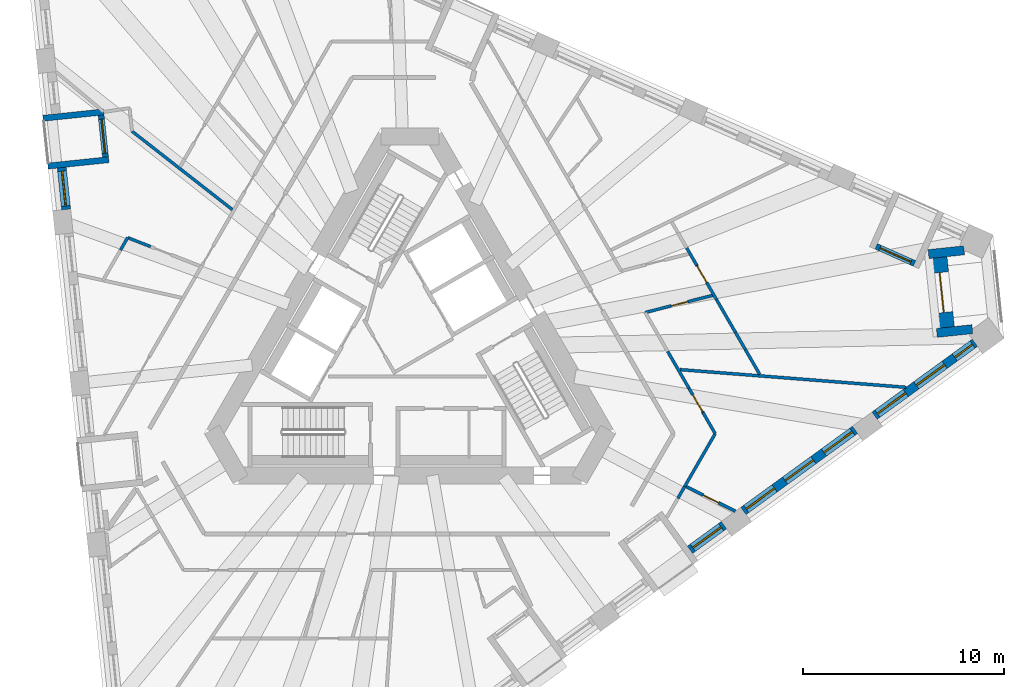
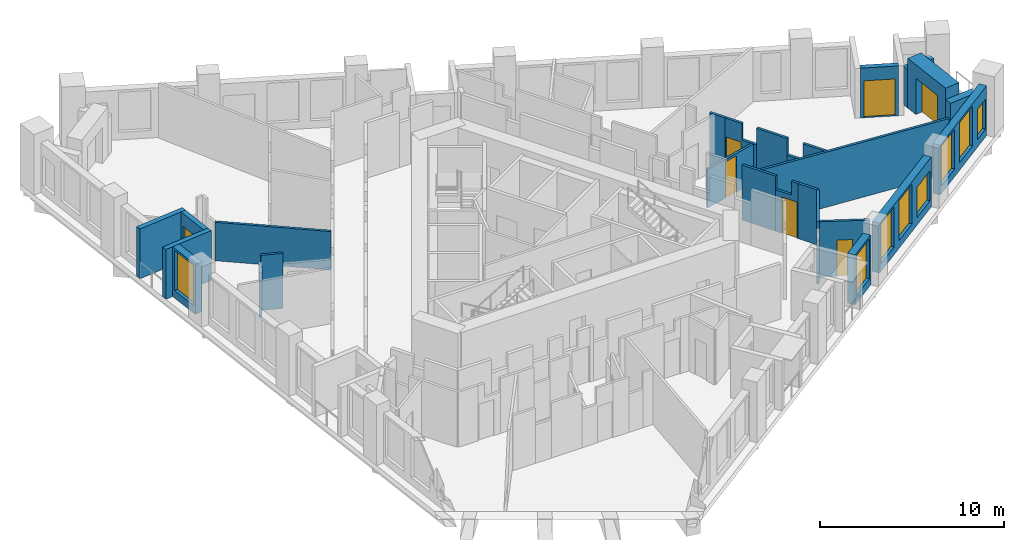
# One storey, part 6 of 14: 27 walls, 8 windows, 7 doors, 15 openings.
"""IFC4 building model written with IfcOpenShell, lengths in metres."""

from ifc_helpers import new_model, si_unit, direction, frame, frame_2d, origin, place, context, subcontext, project, spatial, polyline, rectangle, outline, extrude, material, layer, layer_set, type_object, element, fill, save


model = new_model("IFC4")

# Units and contexts
model_context = context("Model", 3, precision=1e-05, world=origin(), true_north=direction((0.0, 1.0)))
body_context = subcontext(model_context, "Body", "Model", "MODEL_VIEW")
ifc_project = project(units=[si_unit("LENGTHUNIT", "METRE"), si_unit("AREAUNIT", "SQUARE_METRE"), si_unit("VOLUMEUNIT", "CUBIC_METRE"), si_unit("PLANEANGLEUNIT", "RADIAN"), si_unit("MASSUNIT", "GRAM", prefix="KILO")], contexts=[model_context])

# Site, building, storey
site_placement = place(None, origin())
site = spatial("IfcSite", under=ifc_project, at=site_placement, CompositionType="ELEMENT")
building_placement = place(site_placement, origin())
building = spatial("IfcBuilding", under=site, at=building_placement, Name="Tramontana Tower", CompositionType="ELEMENT")
storey_placement = place(building_placement, frame((0.0, 0.0, 182.800048828125)))
storey = spatial("IfcBuildingStorey", under=building, at=storey_placement, Name="L42", CompositionType="ELEMENT", Elevation=182.800048828125)

# Wall, opening, window
ifc_material_1 = material(Name="Precast concrete 60 MPa", Category="concrete")
ifc_layer_1 = layer(ifc_material_1, 0.449951171875)
ifc_layer_set_1 = layer_set([ifc_layer_1], Name="Precast concrete 60 MPa, 450 mm")
wall_type_1 = type_object("IfcWallType", Name="EW1 Stone-faced precast wall 450", PredefinedType="SOLIDWALL", material=ifc_layer_set_1)
wall_1_placement = place(storey_placement, frame((-17.362060546875, 9.01171875, 0.0), z_axis=(0.0, 0.0, 1.0), x_axis=(0.104569484464, -0.994517583011, 0.0)))
wall_1 = element("IfcWall", 1, at=wall_1_placement, inside=storey, type_object=wall_type_1, Name="External wall L42 face 0 bay 2", PredefinedType="SOLIDWALL", context=body_context, shape_type="SweptSolid", body=[
    extrude(rectangle(XDim=2.09423828125, YDim=0.449951171875, at=frame_2d((1.047119140625, 0.0))), origin(), (0.0, 0.0, 1.0), 3.300048828125),
])
opening_1_placement = place(wall_1_placement, frame((0.172119140625, 0.0, 0.5)))
opening_1 = element("IfcOpeningElement", 2, at=opening_1_placement, cuts=wall_1, Name="Opening M2", PredefinedType="OPENING", context=body_context, shape_type="SweptSolid", body=[
    extrude(rectangle(XDim=1.75, YDim=2.64990234375, at=frame_2d((0.875, 1.324951171875))), frame((0.0, 0.23486328125, 0.0), z_axis=(0.0, -1.0, 0.0), x_axis=(1.0, 0.0, 0.0)), (0.0, 0.0, 1.0), 0.469970703125),
])
ifc_material_2 = material(Name="Aluminum frame, double glazing unit", Category="aluminium")
window_type_1 = type_object("IfcWindowType", Name="M2 Window 1.75 x 2.65", PartitioningType="SINGLE_PANEL", PredefinedType="WINDOW", material=ifc_material_2)
window_1_placement = place(opening_1_placement, origin())
window_1 = element("IfcWindow", 3, at=window_1_placement, inside=storey, type_object=window_type_1, Name="Window M2 L42 face 0 module 6", OverallHeight=2.64990234375, OverallWidth=1.75, PartitioningType="SINGLE_PANEL", PredefinedType="WINDOW", context=body_context, shape_type="SweptSolid", body=[
    extrude(rectangle(XDim=1.75, YDim=2.64990234375, at=frame_2d((0.875, 1.324951171875))), frame((0.0, 0.030029296875, 0.0), z_axis=(0.0, -1.0, 0.0), x_axis=(1.0, 0.0, 0.0)), (0.0, 0.0, 1.0), 0.06005859375),
])
fill(opening_1, window_1)

wall_2_placement = place(storey_placement, frame((13.955078125, -10.039794921875, 0.0), z_axis=(0.0, 0.0, 1.0), x_axis=(0.809028366311, 0.587769599847, 0.0)))
wall_2 = element("IfcWall", 4, at=wall_2_placement, inside=storey, type_object=wall_type_1, Name="External wall L42 face 1 bay 4", PredefinedType="SOLIDWALL", context=body_context, shape_type="SweptSolid", body=[
    extrude(rectangle(XDim=2.09423828125, YDim=0.449951171875, at=frame_2d((1.047119140625, 0.0))), origin(), (0.0, 0.0, 1.0), 3.300048828125),
])
opening_2_placement = place(wall_2_placement, frame((0.172119140625, 0.0, 0.5)))
opening_2 = element("IfcOpeningElement", 5, at=opening_2_placement, cuts=wall_2, Name="Opening M2", PredefinedType="OPENING", context=body_context, shape_type="SweptSolid", body=[
    extrude(rectangle(XDim=1.75, YDim=2.64990234375, at=frame_2d((0.875, 1.324951171875))), frame((0.0, 0.23486328125, 0.0), z_axis=(0.0, -1.0, 0.0), x_axis=(1.0, 0.0, 0.0)), (0.0, 0.0, 1.0), 0.469970703125),
])
window_2_placement = place(opening_2_placement, origin())
window_2 = element("IfcWindow", 6, at=window_2_placement, inside=storey, type_object=window_type_1, Name="Window M2 L42 face 1 module 12", OverallHeight=2.64990234375, OverallWidth=1.75, PartitioningType="SINGLE_PANEL", PredefinedType="WINDOW", context=body_context, shape_type="SweptSolid", body=[
    extrude(rectangle(XDim=1.75, YDim=2.64990234375, at=frame_2d((0.875, 1.324951171875))), frame((0.0, 0.030029296875, 0.0), z_axis=(0.0, -1.0, 0.0), x_axis=(1.0, 0.0, 0.0)), (0.0, 0.0, 1.0), 0.06005859375),
])
fill(opening_2, window_2)

# Wall, openings, windows
wall_3_placement = place(storey_placement, frame((16.6201171875, -8.103515625, 0.0), z_axis=(0.0, 0.0, 1.0), x_axis=(0.809016690404, 0.587785670672, 0.0)))
wall_3 = element("IfcWall", 7, at=wall_3_placement, inside=storey, type_object=wall_type_1, Name="External wall L42 face 1 bay 5", PredefinedType="SOLIDWALL", context=body_context, shape_type="SweptSolid", body=[
    extrude(rectangle(XDim=6.8828125, YDim=0.449951171875, at=frame_2d((3.44140625, 0.0))), origin(), (0.0, 0.0, 1.0), 3.300048828125),
])
opening_3_placement = place(wall_3_placement, frame((0.172119140625, 0.0, 0.5)))
opening_3 = element("IfcOpeningElement", 8, at=opening_3_placement, cuts=wall_3, Name="Opening M2", PredefinedType="OPENING", context=body_context, shape_type="SweptSolid", body=[
    extrude(rectangle(XDim=1.75, YDim=2.64990234375, at=frame_2d((0.875, 1.324951171875))), frame((0.0, 0.23486328125, 0.0), z_axis=(0.0, -1.0, 0.0), x_axis=(1.0, 0.0, 0.0)), (0.0, 0.0, 1.0), 0.469970703125),
])
opening_4_placement = place(wall_3_placement, frame((2.56640625, 0.0, 0.5)))
opening_4 = element("IfcOpeningElement", 9, at=opening_4_placement, cuts=wall_3, Name="Opening M2", PredefinedType="OPENING", context=body_context, shape_type="SweptSolid", body=[
    extrude(rectangle(XDim=1.75, YDim=2.64990234375, at=frame_2d((0.875, 1.324951171875))), frame((0.0, 0.23486328125, 0.0), z_axis=(0.0, -1.0, 0.0), x_axis=(1.0, 0.0, 0.0)), (0.0, 0.0, 1.0), 0.469970703125),
])
opening_5_placement = place(wall_3_placement, frame((4.960693359375, 0.0, 0.5)))
opening_5 = element("IfcOpeningElement", 10, at=opening_5_placement, cuts=wall_3, Name="Opening M2L", PredefinedType="OPENING", context=body_context, shape_type="SweptSolid", body=[
    extrude(rectangle(XDim=1.75, YDim=2.0, at=frame_2d((0.875, 1.0))), frame((0.0, 0.23486328125, 0.0), z_axis=(0.0, -1.0, 0.0), x_axis=(1.0, 0.0, 0.0)), (0.0, 0.0, 1.0), 0.469970703125),
])
window_3_placement = place(opening_3_placement, origin())
window_3 = element("IfcWindow", 11, at=window_3_placement, inside=storey, type_object=window_type_1, Name="Window M2 L42 face 1 module 13", OverallHeight=2.64990234375, OverallWidth=1.75, PartitioningType="SINGLE_PANEL", PredefinedType="WINDOW", context=body_context, shape_type="SweptSolid", body=[
    extrude(rectangle(XDim=1.75, YDim=2.64990234375, at=frame_2d((0.875, 1.324951171875))), frame((0.0, 0.030029296875, 0.0), z_axis=(0.0, -1.0, 0.0), x_axis=(1.0, 0.0, 0.0)), (0.0, 0.0, 1.0), 0.06005859375),
])
fill(opening_3, window_3)
window_4_placement = place(opening_4_placement, origin())
window_4 = element("IfcWindow", 12, at=window_4_placement, inside=storey, type_object=window_type_1, Name="Window M2 L42 face 1 module 14", OverallHeight=2.64990234375, OverallWidth=1.75, PartitioningType="SINGLE_PANEL", PredefinedType="WINDOW", context=body_context, shape_type="SweptSolid", body=[
    extrude(rectangle(XDim=1.75, YDim=2.64990234375, at=frame_2d((0.875, 1.324951171875))), frame((0.0, 0.030029296875, 0.0), z_axis=(0.0, -1.0, 0.0), x_axis=(1.0, 0.0, 0.0)), (0.0, 0.0, 1.0), 0.06005859375),
])
fill(opening_4, window_4)
ifc_material_3 = material(Name="Aluminum frame, double glazing unit", Category="aluminium")
window_type_2 = type_object("IfcWindowType", Name="M2L Window 1.75 x 2", PartitioningType="SINGLE_PANEL", PredefinedType="WINDOW", material=ifc_material_3)
window_5_placement = place(opening_5_placement, origin())
window_5 = element("IfcWindow", 13, at=window_5_placement, inside=storey, type_object=window_type_2, Name="Window M2L L42 face 1 module 15", OverallHeight=2.0, OverallWidth=1.75, PartitioningType="SINGLE_PANEL", PredefinedType="WINDOW", context=body_context, shape_type="SweptSolid", body=[
    extrude(rectangle(XDim=1.75, YDim=2.0, at=frame_2d((0.875, 1.0))), frame((0.0, 0.030029296875, 0.0), z_axis=(0.0, -1.0, 0.0), x_axis=(1.0, 0.0, 0.0)), (0.0, 0.0, 1.0), 0.06005859375),
])
fill(opening_5, window_5)

wall_4_placement = place(storey_placement, frame((23.159423828125, -3.3525390625, 0.0), z_axis=(0.0, 0.0, 1.0), x_axis=(0.809005790194, 0.587800673215, 0.0)))
wall_4 = element("IfcWall", 14, at=wall_4_placement, inside=storey, type_object=wall_type_1, Name="External wall L42 face 1 bay 6", PredefinedType="SOLIDWALL", context=body_context, shape_type="SweptSolid", body=[
    extrude(rectangle(XDim=6.182861328125, YDim=0.449951171875, at=frame_2d((3.09130859375, 0.0))), origin(), (0.0, 0.0, 1.0), 3.300048828125),
])
opening_6_placement = place(wall_4_placement, frame((0.172119140625, 0.0, 0.5)))
opening_6 = element("IfcOpeningElement", 15, at=opening_6_placement, cuts=wall_4, Name="Opening M2", PredefinedType="OPENING", context=body_context, shape_type="SweptSolid", body=[
    extrude(rectangle(XDim=1.75, YDim=2.64990234375, at=frame_2d((0.875, 1.324951171875))), frame((0.0, 0.23486328125, 0.0), z_axis=(0.0, -1.0, 0.0), x_axis=(1.0, 0.0, 0.0)), (0.0, 0.0, 1.0), 0.469970703125),
])
opening_7_placement = place(wall_4_placement, frame((2.56640625, 0.0, 0.5)))
opening_7 = element("IfcOpeningElement", 16, at=opening_7_placement, cuts=wall_4, Name="Opening M2", PredefinedType="OPENING", context=body_context, shape_type="SweptSolid", body=[
    extrude(rectangle(XDim=1.75, YDim=2.64990234375, at=frame_2d((0.875, 1.324951171875))), frame((0.0, 0.23486328125, 0.0), z_axis=(0.0, -1.0, 0.0), x_axis=(1.0, 0.0, 0.0)), (0.0, 0.0, 1.0), 0.469970703125),
])
opening_8_placement = place(wall_4_placement, frame((4.935791015625, 0.0, 0.5)))
opening_8 = element("IfcOpeningElement", 17, at=opening_8_placement, cuts=wall_4, Name="Opening N2L", PredefinedType="OPENING", context=body_context, shape_type="SweptSolid", body=[
    extrude(rectangle(XDim=1.10009765625, YDim=2.0, at=frame_2d((0.550048828125, 1.0))), frame((0.0, 0.23486328125, 0.0), z_axis=(0.0, -1.0, 0.0), x_axis=(1.0, 0.0, 0.0)), (0.0, 0.0, 1.0), 0.469970703125),
])
window_6_placement = place(opening_6_placement, origin())
window_6 = element("IfcWindow", 18, at=window_6_placement, inside=storey, type_object=window_type_1, Name="Window M2 L42 face 1 module 16", OverallHeight=2.64990234375, OverallWidth=1.75, PartitioningType="SINGLE_PANEL", PredefinedType="WINDOW", context=body_context, shape_type="SweptSolid", body=[
    extrude(rectangle(XDim=1.75, YDim=2.64990234375, at=frame_2d((0.875, 1.324951171875))), frame((0.0, 0.030029296875, 0.0), z_axis=(0.0, -1.0, 0.0), x_axis=(1.0, 0.0, 0.0)), (0.0, 0.0, 1.0), 0.06005859375),
])
fill(opening_6, window_6)
window_7_placement = place(opening_7_placement, origin())
window_7 = element("IfcWindow", 19, at=window_7_placement, inside=storey, type_object=window_type_1, Name="Window M2 L42 face 1 module 17", OverallHeight=2.64990234375, OverallWidth=1.75, PartitioningType="SINGLE_PANEL", PredefinedType="WINDOW", context=body_context, shape_type="SweptSolid", body=[
    extrude(rectangle(XDim=1.75, YDim=2.64990234375, at=frame_2d((0.875, 1.324951171875))), frame((0.0, 0.030029296875, 0.0), z_axis=(0.0, -1.0, 0.0), x_axis=(1.0, 0.0, 0.0)), (0.0, 0.0, 1.0), 0.06005859375),
])
fill(opening_7, window_7)
ifc_material_4 = material(Name="Aluminum frame, double glazing unit", Category="aluminium")
window_type_3 = type_object("IfcWindowType", Name="N2L Window 1.1 x 2", PartitioningType="SINGLE_PANEL", PredefinedType="WINDOW", material=ifc_material_4)
window_8_placement = place(opening_8_placement, origin())
window_8 = element("IfcWindow", 20, at=window_8_placement, inside=storey, type_object=window_type_3, Name="Window N2L L42 face 1 module 18", OverallHeight=2.0, OverallWidth=1.10009765625, PartitioningType="SINGLE_PANEL", PredefinedType="WINDOW", context=body_context, shape_type="SweptSolid", body=[
    extrude(rectangle(XDim=1.10009765625, YDim=2.0, at=frame_2d((0.550048828125, 1.0))), frame((0.0, 0.030029296875, 0.0), z_axis=(0.0, -1.0, 0.0), x_axis=(1.0, 0.0, 0.0)), (0.0, 0.0, 1.0), 0.06005859375),
])
fill(opening_8, window_8)

# Walls
wall_5_placement = place(storey_placement, frame((27.619384765625, 4.888916015625, 0.0), z_axis=(0.0, 0.0, 1.0), x_axis=(-0.994517477618, -0.104570486815, 0.0)))
element("IfcWall", 21, at=wall_5_placement, inside=storey, type_object=wall_type_1, Name="Corner loggia side wall L42 K42l", PredefinedType="SOLIDWALL", context=body_context, shape_type="SweptSolid", body=[
    extrude(rectangle(XDim=1.779052734375, YDim=0.449951171875, at=frame_2d((0.8896484375, 0.0))), origin(), (0.0, 0.0, 1.0), 2.550048828125),
])
wall_6_placement = place(storey_placement, frame((28.032470703125, 0.96044921875, 0.0), z_axis=(0.0, 0.0, 1.0), x_axis=(-0.994518977937, -0.104556217051, 0.0)))
element("IfcWall", 22, at=wall_6_placement, inside=storey, type_object=wall_type_1, Name="Corner loggia side wall L42 K42r", PredefinedType="SOLIDWALL", context=body_context, shape_type="SweptSolid", body=[
    extrude(rectangle(XDim=1.779296875, YDim=0.449951171875, at=frame_2d((0.8896484375, 0.0))), origin(), (0.0, 0.0, 1.0), 2.550048828125),
])

# Wall, opening, door
ifc_material_5 = material(Name="Precast concrete 60 MPa", Category="concrete")
ifc_layer_2 = layer(ifc_material_5, 0.89990234375)
ifc_layer_set_2 = layer_set([ifc_layer_2], Name="EW2 Stone-faced corner loggia wall 900")
wall_type_2 = type_object("IfcWallType", Name="EW2 Stone-faced corner loggia wall 900", PredefinedType="SOLIDWALL", material=ifc_layer_set_2)
wall_7_placement = place(storey_placement, frame((26.321044921875, 4.526123046875, 0.0), z_axis=(0.0, 0.0, 1.0), x_axis=(0.104557701916, -0.994518821828, 0.0)))
wall_7 = element("IfcWall", 23, at=wall_7_placement, inside=storey, type_object=wall_type_2, Name="Corner loggia wall L42 K42", PredefinedType="SOLIDWALL", context=body_context, shape_type="SweptSolid", body=[
    extrude(rectangle(XDim=3.500244140625, YDim=0.89990234375, at=frame_2d((1.75, 0.0))), origin(), (0.0, 0.0, 1.0), 3.300048828125),
])
opening_9_placement = place(wall_7_placement, frame((0.75, 0.0, 0.0)))
opening_9 = element("IfcOpeningElement", 24, at=opening_9_placement, cuts=wall_7, Name="Opening BD-42C", PredefinedType="OPENING", context=body_context, shape_type="SweptSolid", body=[
    extrude(rectangle(XDim=2.0, YDim=2.39990234375, at=frame_2d((1.0, 1.199951171875))), frame((0.0, 0.4599609375, 0.0), z_axis=(0.0, -1.0, 0.0), x_axis=(1.0, 0.0, 0.0)), (0.0, 0.0, 1.0), 0.919921875),
])
ifc_material_6 = material(Name="Aluminum frame, double glazing unit", Category="aluminium")
door_type_1 = type_object("IfcDoorType", Name="BC1 Sliding door 2 x 2.4", OperationType="SLIDING_TO_LEFT", PredefinedType="DOOR", material=ifc_material_6)
door_1_placement = place(opening_9_placement, origin())
door_1 = element("IfcDoor", 25, at=door_1_placement, inside=storey, type_object=door_type_1, Name="Corner loggia door L42 K42", OperationType="SLIDING_TO_LEFT", OverallHeight=2.39990234375, OverallWidth=2.0, PredefinedType="DOOR", context=body_context, shape_type="SweptSolid", body=[
    extrude(rectangle(XDim=2.0, YDim=2.39990234375, at=frame_2d((1.0, 1.199951171875))), frame((0.0, 0.02490234375, 0.0), z_axis=(0.0, -1.0, 0.0), x_axis=(1.0, 0.0, 0.0)), (0.0, 0.0, 1.0), 0.050048828125),
])
fill(opening_9, door_1)

ifc_material_7 = material(Name="Precast concrete 60 MPa", Category="concrete")
ifc_layer_3 = layer(ifc_material_7, 0.300048828125)
ifc_layer_set_3 = layer_set([ifc_layer_3], Name="LW1 Stone-faced loggia wall 300")
wall_type_3 = type_object("IfcWallType", Name="LW1 Stone-faced loggia wall 300", PredefinedType="SOLIDWALL", material=ifc_layer_set_3)
wall_8_placement = place(storey_placement, frame((-15.399658203125, 11.62548828125, 0.0), z_axis=(0.0, 0.0, 1.0), x_axis=(0.104569484464, -0.994517583011, 0.0)))
wall_8 = element("IfcWall", 26, at=wall_8_placement, inside=storey, type_object=wall_type_3, Name="Loggia wall L42 G4S0.4", PredefinedType="SOLIDWALL", context=body_context, shape_type="SweptSolid", body=[
    extrude(rectangle(XDim=2.09423828125, YDim=0.300048828125, at=frame_2d((1.047119140625, 0.0))), origin(), (0.0, 0.0, 1.0), 3.300048828125),
])
opening_10_placement = place(wall_8_placement, frame((0.197265625, 0.0, 0.0)))
opening_10 = element("IfcOpeningElement", 27, at=opening_10_placement, cuts=wall_8, Name="Opening BD-4S0-04", PredefinedType="OPENING", context=body_context, shape_type="SweptSolid", body=[
    extrude(rectangle(XDim=1.699951171875, YDim=2.449951171875, at=frame_2d((0.85009765625, 1.22509765625))), frame((0.0, 0.159912109375, 0.0), z_axis=(0.0, -1.0, 0.0), x_axis=(1.0, 0.0, 0.0)), (0.0, 0.0, 1.0), 0.320068359375),
])
ifc_material_8 = material(Name="Aluminum frame, double glazing unit", Category="aluminium")
door_type_2 = type_object("IfcDoorType", Name="BD2 Sliding door 1.7 x 2.45", OperationType="SLIDING_TO_LEFT", PredefinedType="DOOR", material=ifc_material_8)
door_2_placement = place(opening_10_placement, origin())
door_2 = element("IfcDoor", 28, at=door_2_placement, inside=storey, type_object=door_type_2, Name="Loggia door L42 G4S0.4", OperationType="SLIDING_TO_LEFT", OverallHeight=2.449951171875, OverallWidth=1.699951171875, PredefinedType="DOOR", context=body_context, shape_type="SweptSolid", body=[
    extrude(rectangle(XDim=1.699951171875, YDim=2.449951171875, at=frame_2d((0.85009765625, 1.22509765625))), frame((0.0, 0.02490234375, 0.0), z_axis=(0.0, -1.0, 0.0), x_axis=(1.0, 0.0, 0.0)), (0.0, 0.0, 1.0), 0.050048828125),
])
fill(opening_10, door_2)

# Walls
for number, where, z_axis, x_axis, name in (
    (29, (-18.29931640625, 11.471435546875, 0.0), (0.0, 0.0, 1.0), (0.994520355942, 0.104543108891, 0.0), "Loggia return L42 G4S0.4a"),
    (30, (-18.049072265625, 9.09033203125, 0.0), (0.0, 0.0, 1.0), (0.994520355942, 0.104543108891, 0.0), "Loggia return L42 G4S0.4b"),
):
    element("IfcWall", number, at=place(storey_placement, frame(where, z_axis=z_axis, x_axis=x_axis)), inside=storey, type_object=wall_type_3, Name=name, PredefinedType="SOLIDWALL", context=body_context, shape_type="SweptSolid", body=[
        extrude(rectangle(XDim=3.0498046875, YDim=0.300048828125, at=frame_2d((1.52490234375, 0.0))), origin(), (0.0, 0.0, 1.0), 3.300048828125),
    ])

# Wall, opening, door
wall_9_placement = place(storey_placement, frame((25.15185546875, 4.236083984375, 0.0), z_axis=(0.0, 0.0, 1.0), x_axis=(-0.913556597974, 0.40671162056, 0.0)))
wall_9 = element("IfcWall", 31, at=wall_9_placement, inside=storey, type_object=wall_type_3, Name="Loggia wall L42 G4S2.1", PredefinedType="SOLIDWALL", context=body_context, shape_type="SweptSolid", body=[
    extrude(rectangle(XDim=2.094482421875, YDim=0.300048828125, at=frame_2d((1.04736328125, 0.0))), origin(), (0.0, 0.0, 1.0), 3.300048828125),
])
opening_11_placement = place(wall_9_placement, frame((0.197265625, 0.0, 0.0)))
opening_11 = element("IfcOpeningElement", 32, at=opening_11_placement, cuts=wall_9, Name="Opening BD-4S2-01", PredefinedType="OPENING", context=body_context, shape_type="SweptSolid", body=[
    extrude(rectangle(XDim=1.699951171875, YDim=2.449951171875, at=frame_2d((0.85009765625, 1.22509765625))), frame((0.0, 0.159912109375, 0.0), z_axis=(0.0, -1.0, 0.0), x_axis=(1.0, 0.0, 0.0)), (0.0, 0.0, 1.0), 0.320068359375),
])
door_3_placement = place(opening_11_placement, origin())
door_3 = element("IfcDoor", 33, at=door_3_placement, inside=storey, type_object=door_type_2, Name="Loggia door L42 G4S2.1", OperationType="SLIDING_TO_LEFT", OverallHeight=2.449951171875, OverallWidth=1.699951171875, PredefinedType="DOOR", context=body_context, shape_type="SweptSolid", body=[
    extrude(rectangle(XDim=1.699951171875, YDim=2.449951171875, at=frame_2d((0.85009765625, 1.22509765625))), frame((0.0, 0.02490234375, 0.0), z_axis=(0.0, -1.0, 0.0), x_axis=(1.0, 0.0, 0.0)), (0.0, 0.0, 1.0), 0.050048828125),
])
fill(opening_11, door_3)

# Walls
ifc_material_9 = material(Name="Gypsum board partition")
ifc_layer_4 = layer(ifc_material_9, 0.14990234375)
ifc_layer_set_4 = layer_set([ifc_layer_4], Name="PARTITION 150")
wall_type_4 = type_object("IfcWallType", Name="PARTITION 150", PredefinedType="PARTITIONING", material=ifc_layer_set_4)
wall_10_placement = place(storey_placement, frame((-14.432373046875, 4.90234375, 0.0), z_axis=(0.0, 0.0, 1.0), x_axis=(0.500027542156, 0.866009501729, 0.0)))
element("IfcWall", 34, at=wall_10_placement, inside=storey, type_object=wall_type_4, Name="Wall v41-pw00-1", PredefinedType="PARTITIONING", context=body_context, shape_type="SweptSolid", body=[
    extrude(rectangle(XDim=0.7158203125, YDim=0.14990234375, at=frame_2d((0.35791015625, 0.0))), origin(), (0.0, 0.0, 1.0), 2.949951171875),
])
wall_11_placement = place(storey_placement, frame((-14.074462890625, 5.522216796875, 0.0), z_axis=(0.0, 0.0, 1.0), x_axis=(0.9308963575, -0.3652834127, 0.0)))
element("IfcWall", 35, at=wall_11_placement, inside=storey, type_object=wall_type_4, Name="Wall v41-pw08-0", PredefinedType="PARTITIONING", context=body_context, shape_type="SweptSolid", body=[
    extrude(rectangle(XDim=1.228515625, YDim=0.14990234375, at=frame_2d((0.6142578125, 0.0))), origin(), (0.0, 0.0, 1.0), 3.64990234375),
])
wall_12_placement = place(storey_placement, frame((-8.852783203125, 6.916748046875, 0.0), z_axis=(0.0, 0.0, 1.0), x_axis=(-0.788021459681, 0.61564777193, 0.0)))
element("IfcWall", 36, at=wall_12_placement, inside=storey, type_object=wall_type_4, Name="Wall v41-pw20-0", PredefinedType="PARTITIONING", context=body_context, shape_type="SweptSolid", body=[
    extrude(rectangle(XDim=6.350830078125, YDim=0.14990234375, at=frame_2d((3.17529296875, 0.0))), origin(), (0.0, 0.0, 1.0), 2.550048828125),
])
wall_13_placement = place(storey_placement, frame((12.845703125, -0.149658203125, 0.0), z_axis=(0.0, 0.0, 1.0), x_axis=(0.500073154421, -0.86598316394, 0.0)))
element("IfcWall", 37, at=wall_13_placement, inside=storey, type_object=wall_type_4, Name="Wall v41-pw43-2", PredefinedType="PARTITIONING", context=body_context, shape_type="SweptSolid", body=[
    extrude(rectangle(XDim=2.109130859375, YDim=0.14990234375, at=frame_2d((1.0546875, 0.0))), origin(), (0.0, 0.0, 1.0), 3.64990234375),
])

# Wall, opening, door
wall_14_placement = place(storey_placement, frame((13.900390625, -1.97607421875, 0.0), z_axis=(0.0, 0.0, 1.0), x_axis=(0.499918201355, -0.866072625104, 0.0)))
wall_14 = element("IfcWall", 38, at=wall_14_placement, inside=storey, type_object=wall_type_4, Name="Wall v41-pw43-3", PredefinedType="PARTITIONING", context=body_context, shape_type="SweptSolid", body=[
    extrude(outline(polyline([(0.0, 0.0), (1.403564453125, 0.0), (1.403564453125, 3.64990234375), (1.0068359375, 3.64990234375), (1.0068359375, 2.75), (0.0, 2.75), (0.0, 0.0)])), frame((0.0, 0.074951171875, 0.0), z_axis=(0.0, -1.0, 0.0), x_axis=(1.0, 0.0, 0.0)), (0.0, 0.0, 1.0), 0.14990234375),
])
opening_12_placement = place(wall_14_placement, frame((0.403564453125, 0.0, 0.0)))
opening_12 = element("IfcOpeningElement", 39, at=opening_12_placement, cuts=wall_14, Name="Opening B4B-18", PredefinedType="OPENING", context=body_context, shape_type="SweptSolid", body=[
    extrude(rectangle(XDim=0.949951171875, YDim=2.39990234375, at=frame_2d((0.47509765625, 1.199951171875))), frame((0.0, 0.0849609375, 0.0), z_axis=(0.0, -1.0, 0.0), x_axis=(1.0, 0.0, 0.0)), (0.0, 0.0, 1.0), 0.169921875),
])
ifc_material_10 = material(Name="Painted timber", Category="wood")
door_type_3 = type_object("IfcDoorType", Name="DOOR ROOM 950", OperationType="SINGLE_SWING_LEFT", PredefinedType="DOOR", material=ifc_material_10)
door_4_placement = place(opening_12_placement, origin())
door_4 = element("IfcDoor", 40, at=door_4_placement, inside=storey, type_object=door_type_3, Name="Door B4B-18", OperationType="SINGLE_SWING_RIGHT", OverallHeight=2.39990234375, OverallWidth=0.949951171875, PredefinedType="DOOR", context=body_context, shape_type="SweptSolid", body=[
    extrude(rectangle(XDim=0.949951171875, YDim=2.39990234375, at=frame_2d((0.47509765625, 1.199951171875))), frame((0.0, 0.02490234375, 0.0), z_axis=(0.0, -1.0, 0.0), x_axis=(1.0, 0.0, 0.0)), (0.0, 0.0, 1.0), 0.050048828125),
])
fill(opening_12, door_4)

# Walls
wall_15_placement = place(storey_placement, frame((14.60205078125, -3.191650390625, 0.0), z_axis=(0.0, 0.0, 1.0), x_axis=(0.500027955217, -0.866009263231, 0.0)))
element("IfcWall", 41, at=wall_15_placement, inside=storey, type_object=wall_type_4, Name="Wall v41-pw43-4", PredefinedType="PARTITIONING", context=body_context, shape_type="SweptSolid", body=[
    extrude(rectangle(XDim=1.22216796875, YDim=0.14990234375, at=frame_2d((0.611083984375, 0.0))), origin(), (0.0, 0.0, 1.0), 3.64990234375),
])
wall_16_placement = place(storey_placement, frame((13.792724609375, 5.010498046875, 0.0), z_axis=(0.0, 0.0, 1.0), x_axis=(0.499999078476, -0.866025935826, 0.0)))
element("IfcWall", 42, at=wall_16_placement, inside=storey, type_object=wall_type_4, Name="Wall v41-pw44-2", PredefinedType="PARTITIONING", context=body_context, shape_type="SweptSolid", body=[
    extrude(rectangle(XDim=0.9931640625, YDim=0.14990234375, at=frame_2d((0.49658203125, 0.0))), origin(), (0.0, 0.0, 1.0), 3.64990234375),
])

# Wall, opening, door
wall_17_placement = place(storey_placement, frame((14.289306640625, 4.150390625, 0.0), z_axis=(0.0, 0.0, 1.0), x_axis=(0.499926382705, -0.866067902578, 0.0)))
wall_17 = element("IfcWall", 43, at=wall_17_placement, inside=storey, type_object=wall_type_4, Name="Wall v41-pw44-3", PredefinedType="PARTITIONING", context=body_context, shape_type="SweptSolid", body=[
    extrude(outline(polyline([(0.0, 0.0), (1.968994140625, 0.0), (1.96923828125, 2.550048828125), (1.042236328125, 2.550048828125), (1.042236328125, 3.64990234375), (0.0, 3.64990234375), (0.0, 0.0)])), frame((0.0, 0.074951171875, 0.0), z_axis=(0.0, -1.0, 0.0), x_axis=(1.0, 0.0, 0.0)), (0.0, 0.0, 1.0), 0.14990234375),
])
opening_13_placement = place(wall_17_placement, frame((0.050048828125, 0.0, 0.0)))
opening_13 = element("IfcOpeningElement", 44, at=opening_13_placement, cuts=wall_17, Name="Opening B4B-17", PredefinedType="OPENING", context=body_context, shape_type="SweptSolid", body=[
    extrude(rectangle(XDim=0.949951171875, YDim=2.39990234375, at=frame_2d((0.47509765625, 1.199951171875))), frame((0.0, 0.0849609375, 0.0), z_axis=(0.0, -1.0, 0.0), x_axis=(1.0, 0.0, 0.0)), (0.0, 0.0, 1.0), 0.169921875),
])
door_5_placement = place(opening_13_placement, origin())
door_5 = element("IfcDoor", 45, at=door_5_placement, inside=storey, type_object=door_type_3, Name="Door B4B-17", OperationType="SINGLE_SWING_LEFT", OverallHeight=2.39990234375, OverallWidth=0.949951171875, PredefinedType="DOOR", context=body_context, shape_type="SweptSolid", body=[
    extrude(rectangle(XDim=0.949951171875, YDim=2.39990234375, at=frame_2d((0.47509765625, 1.199951171875))), frame((0.0, 0.02490234375, 0.0), z_axis=(0.0, -1.0, 0.0), x_axis=(1.0, 0.0, 0.0)), (0.0, 0.0, 1.0), 0.050048828125),
])
fill(opening_13, door_5)

# Walls
wall_18_placement = place(storey_placement, frame((15.273681640625, 2.445068359375, 0.0), z_axis=(0.0, 0.0, 1.0), x_axis=(0.499971120268, -0.866042076863, 0.0)))
element("IfcWall", 46, at=wall_18_placement, inside=storey, type_object=wall_type_4, Name="Wall v41-pw44-4", PredefinedType="PARTITIONING", context=body_context, shape_type="SweptSolid", body=[
    extrude(rectangle(XDim=1.89794921875, YDim=0.14990234375, at=frame_2d((0.948974609375, 0.0))), origin(), (0.0, 0.0, 1.0), 3.64990234375),
])
wall_19_placement = place(storey_placement, frame((16.22265625, 0.80126953125, 0.0), z_axis=(0.0, 0.0, 1.0), x_axis=(0.500138987177, -0.865945144628, 0.0)))
element("IfcWall", 47, at=wall_19_placement, inside=storey, type_object=wall_type_4, Name="Wall v41-pw44-5", PredefinedType="PARTITIONING", context=body_context, shape_type="SweptSolid", body=[
    extrude(rectangle(XDim=0.997802734375, YDim=0.14990234375, at=frame_2d((0.4990234375, 0.0))), origin(), (0.0, 0.0, 1.0), 2.550048828125),
])
wall_20_placement = place(storey_placement, frame((16.7216796875, -0.062744140625, 0.0), z_axis=(0.0, 0.0, 1.0), x_axis=(0.500059846627, -0.865990848561, 0.0)))
element("IfcWall", 48, at=wall_20_placement, inside=storey, type_object=wall_type_4, Name="Wall v41-pw44-6", PredefinedType="PARTITIONING", context=body_context, shape_type="SweptSolid", body=[
    extrude(rectangle(XDim=1.419677734375, YDim=0.14990234375, at=frame_2d((0.7099609375, 0.0))), origin(), (0.0, 0.0, 1.0), 3.64990234375),
])

# Wall, opening, door
wall_21_placement = place(storey_placement, frame((16.221435546875, -8.114990234375, 0.0), z_axis=(0.0, 0.0, 1.0), x_axis=(-0.894337926815, 0.447392079345, 0.0)))
wall_21 = element("IfcWall", 49, at=wall_21_placement, inside=storey, type_object=wall_type_4, Name="Wall v41-pw45", PredefinedType="PARTITIONING", context=body_context, shape_type="SweptSolid", body=[
    extrude(rectangle(XDim=2.735595703125, YDim=0.14990234375, at=frame_2d((1.36767578125, 0.0))), origin(), (0.0, 0.0, 1.0), 3.64990234375),
])
opening_14_placement = place(wall_21_placement, frame((0.94287109375, 0.0, 0.0)))
opening_14 = element("IfcOpeningElement", 50, at=opening_14_placement, cuts=wall_21, Name="Opening B4B-21", PredefinedType="OPENING", context=body_context, shape_type="SweptSolid", body=[
    extrude(rectangle(XDim=0.85009765625, YDim=2.39990234375, at=frame_2d((0.425048828125, 1.199951171875))), frame((0.0, 0.0849609375, 0.0), z_axis=(0.0, -1.0, 0.0), x_axis=(1.0, 0.0, 0.0)), (0.0, 0.0, 1.0), 0.169921875),
])
ifc_material_11 = material(Name="Painted timber", Category="wood")
door_type_4 = type_object("IfcDoorType", Name="DOOR BATH 850", OperationType="SINGLE_SWING_LEFT", PredefinedType="DOOR", material=ifc_material_11)
door_6_placement = place(opening_14_placement, origin())
door_6 = element("IfcDoor", 51, at=door_6_placement, inside=storey, type_object=door_type_4, Name="Door B4B-21", OperationType="SINGLE_SWING_LEFT", OverallHeight=2.39990234375, OverallWidth=0.85009765625, PredefinedType="DOOR", context=body_context, shape_type="SweptSolid", body=[
    extrude(rectangle(XDim=0.85009765625, YDim=2.39990234375, at=frame_2d((0.425048828125, 1.199951171875))), frame((0.0, 0.02490234375, 0.0), z_axis=(0.0, -1.0, 0.0), x_axis=(1.0, 0.0, 0.0)), (0.0, 0.0, 1.0), 0.050048828125),
])
fill(opening_14, door_6)

wall_22_placement = place(storey_placement, frame((15.146240234375, 2.65966796875, 0.0), z_axis=(0.0, 0.0, 1.0), x_axis=(-0.969239685198, -0.246118736867, 0.0)))
wall_22 = element("IfcWall", 52, at=wall_22_placement, inside=storey, type_object=wall_type_4, Name="Wall v41-pw46-0", PredefinedType="PARTITIONING", context=body_context, shape_type="SweptSolid", body=[
    extrude(rectangle(XDim=3.525390625, YDim=0.14990234375, at=frame_2d((1.7626953125, 0.0))), origin(), (0.0, 0.0, 1.0), 2.550048828125),
])
opening_15_placement = place(wall_22_placement, frame((1.337890625, 0.0, 0.0)))
opening_15 = element("IfcOpeningElement", 53, at=opening_15_placement, cuts=wall_22, Name="Opening B4B-16", PredefinedType="OPENING", context=body_context, shape_type="SweptSolid", body=[
    extrude(rectangle(XDim=0.85009765625, YDim=2.39990234375, at=frame_2d((0.425048828125, 1.199951171875))), frame((0.0, 0.0849609375, 0.0), z_axis=(0.0, -1.0, 0.0), x_axis=(1.0, 0.0, 0.0)), (0.0, 0.0, 1.0), 0.169921875),
])
door_7_placement = place(opening_15_placement, origin())
door_7 = element("IfcDoor", 54, at=door_7_placement, inside=storey, type_object=door_type_4, Name="Door B4B-16", OperationType="SINGLE_SWING_RIGHT", OverallHeight=2.39990234375, OverallWidth=0.85009765625, PredefinedType="DOOR", context=body_context, shape_type="SweptSolid", body=[
    extrude(rectangle(XDim=0.85009765625, YDim=2.39990234375, at=frame_2d((0.425048828125, 1.199951171875))), frame((0.0, 0.02490234375, 0.0), z_axis=(0.0, -1.0, 0.0), x_axis=(1.0, 0.0, 0.0)), (0.0, 0.0, 1.0), 0.050048828125),
])
fill(opening_15, door_7)

# Walls
wall_23_placement = place(storey_placement, frame((15.213134765625, -4.25, 0.0), z_axis=(0.0, 0.0, 1.0), x_axis=(-0.500018497585, -0.866014723935, 0.0)))
element("IfcWall", 55, at=wall_23_placement, inside=storey, type_object=wall_type_4, Name="Wall v41-pw47-0", PredefinedType="PARTITIONING", context=body_context, shape_type="SweptSolid", body=[
    extrude(rectangle(XDim=3.0458984375, YDim=0.14990234375, at=frame_2d((1.52294921875, 0.0))), origin(), (0.0, 0.0, 1.0), 3.64990234375),
])
wall_24_placement = place(storey_placement, frame((13.690185546875, -6.8876953125, 0.0), z_axis=(0.0, 0.0, 1.0), x_axis=(-0.499910196476, -0.866077245666, 0.0)))
element("IfcWall", 56, at=wall_24_placement, inside=storey, type_object=wall_type_4, Name="Wall v41-pw47-1", PredefinedType="PARTITIONING", context=body_context, shape_type="SweptSolid", body=[
    extrude(rectangle(XDim=0.67529296875, YDim=0.14990234375, at=frame_2d((0.337646484375, 0.0))), origin(), (0.0, 0.0, 1.0), 2.949951171875),
])
wall_25_placement = place(storey_placement, frame((24.721435546875, -1.939453125, 0.0), z_axis=(0.0, 0.0, 1.0), x_axis=(-0.996937056803, 0.078208086372, 0.0)))
element("IfcWall", 57, at=wall_25_placement, inside=storey, type_object=wall_type_4, Name="Wall v41-pw48", PredefinedType="PARTITIONING", context=body_context, shape_type="SweptSolid", body=[
    extrude(rectangle(XDim=11.300537109375, YDim=0.14990234375, at=frame_2d((5.650390625, 0.0))), origin(), (0.0, 0.0, 1.0), 3.64990234375),
])

save(model, "model.ifc")
